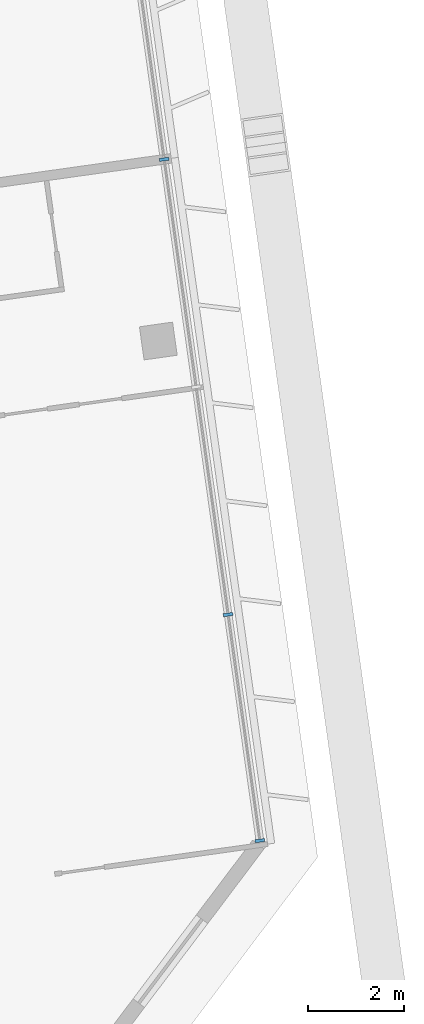
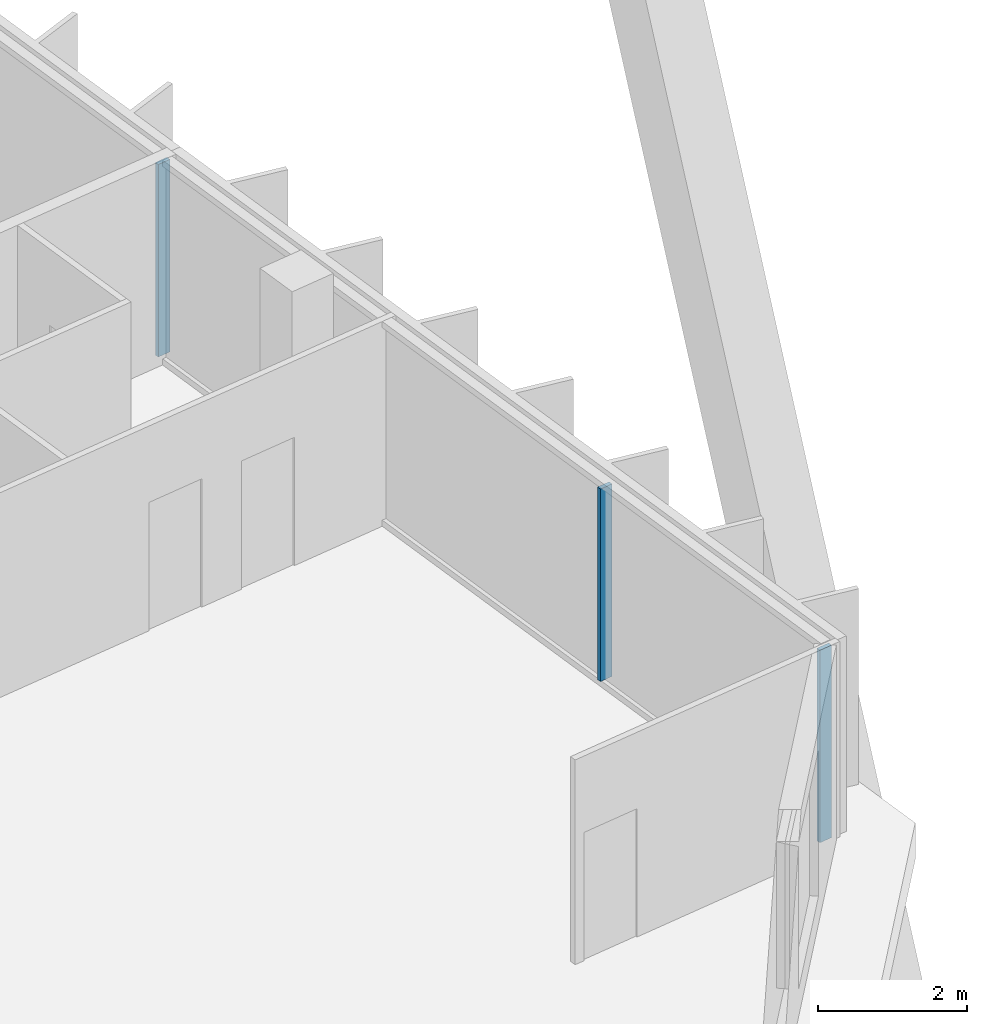
# One storey, part 31 of 49: 3 members, 1 element without a shape of its own.
"""IFC4 building model written with IfcOpenShell, lengths in metres."""

from ifc_helpers import new_model, si_unit, direction, frame, origin, origin_2d, place, context, subcontext, project, spatial, rectangle, extrude, material, material_profile, profile_set, type_object, element, aggregate, save


model = new_model("IFC4")

# Units and contexts
model_context = context("Model", 3, precision=1e-05, world=origin(), true_north=direction((0.0, 1.0)))
body_context = subcontext(model_context, "Body", "Model", "MODEL_VIEW")
ifc_project = project(units=[si_unit("LENGTHUNIT", "METRE"), si_unit("AREAUNIT", "SQUARE_METRE"), si_unit("VOLUMEUNIT", "CUBIC_METRE"), si_unit("PLANEANGLEUNIT", "RADIAN"), si_unit("MASSUNIT", "GRAM", prefix="KILO")], contexts=[model_context])

# Site, building, storey
site_placement = place(None, origin())
site = spatial("IfcSite", under=ifc_project, at=site_placement, CompositionType="ELEMENT")
building_placement = place(site_placement, origin())
building = spatial("IfcBuilding", under=site, at=building_placement, Name="Mirante Cascada Hotel Towers", CompositionType="ELEMENT")
storey_placement = place(building_placement, frame((0.0, 0.0, 66.1)))
storey = spatial("IfcBuildingStorey", under=building, at=storey_placement, Name="L13", CompositionType="ELEMENT", Elevation=66.1)

# Curtain wall, members
ifc_material_1 = material(Name="Aluminium mullion and transom frame with clear laminated glass", Category="aluminium")
curtain_wall_type = type_object("IfcCurtainWallType", Name="End ribbon curtain wall ECW2", PredefinedType="NOTDEFINED", material=ifc_material_1)
curtain_wall_placement = place(storey_placement, origin())
curtain_wall = element("IfcCurtainWall", 1, at=curtain_wall_placement, inside=storey, type_object=curtain_wall_type, Name="Outer end wall T2 L13", PredefinedType="NOTDEFINED")
ifc_material_2 = material(Name="Anodised aluminium extrusion", Category="aluminium")
ifc_material_profile = material_profile(ifc_material_2, rectangle(XDim=0.2, YDim=0.065, at=origin_2d()), Name="ECW2 MULLION 65x200")
ifc_profile_set = profile_set([ifc_material_profile], Name="Anodised aluminium extrusion")
member_type = type_object("IfcMemberType", Name="ECW2 mullion 65x200", PredefinedType="MULLION", material=ifc_profile_set)
member_1_placement = place(storey_placement, frame((103.1556, -6.2656, 0.1), z_axis=(0.0, 0.0, 1.0), x_axis=(-0.9902681, -0.1391731, 0.0)))
member_1 = element("IfcMember", 2, at=member_1_placement, type_object=member_type, Name="ECW2 mullion 1", PredefinedType="MULLION", context=body_context, shape_type="SweptSolid", body=[
    extrude(rectangle(XDim=0.2, YDim=0.065, at=origin_2d()), origin(), (0.0, 0.0, 1.0), 3.15),
])
member_2_placement = place(storey_placement, frame((102.4903, -1.532, 0.1), z_axis=(0.0, 0.0, 1.0), x_axis=(-0.9902681, -0.1391731, 0.0)))
member_2 = element("IfcMember", 3, at=member_2_placement, type_object=member_type, Name="ECW2 mullion 2", PredefinedType="MULLION", context=body_context, shape_type="SweptSolid", body=[
    extrude(rectangle(XDim=0.2, YDim=0.065, at=origin_2d()), origin(), (0.0, 0.0, 1.0), 3.15),
])
member_3_placement = place(storey_placement, frame((101.1508, 7.9996, 0.1), z_axis=(0.0, 0.0, 1.0), x_axis=(-0.9902681, -0.1391731, 0.0)))
member_3 = element("IfcMember", 4, at=member_3_placement, type_object=member_type, Name="ECW2 mullion 4", PredefinedType="MULLION", context=body_context, shape_type="SweptSolid", body=[
    extrude(rectangle(XDim=0.2, YDim=0.065, at=origin_2d()), origin(), (0.0, 0.0, 1.0), 3.15),
])
aggregate(curtain_wall, [member_1, member_2, member_3])

save(model, "model.ifc")
